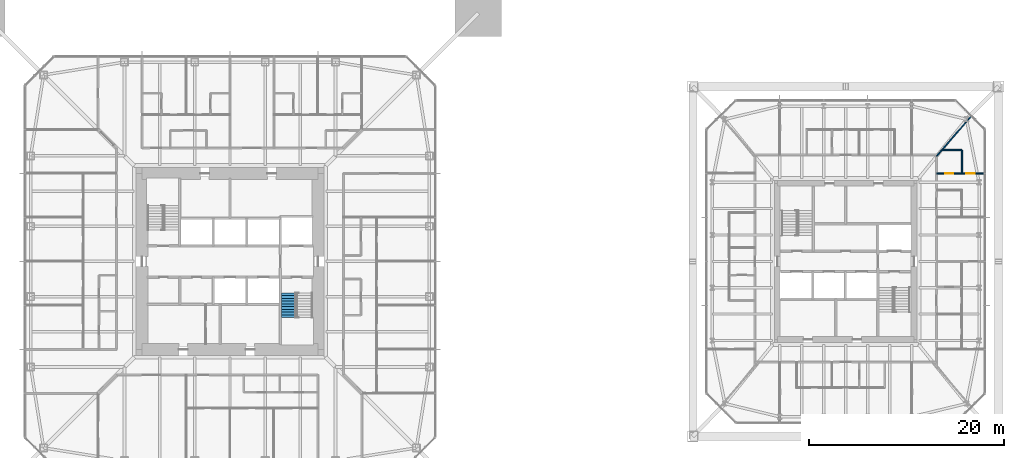
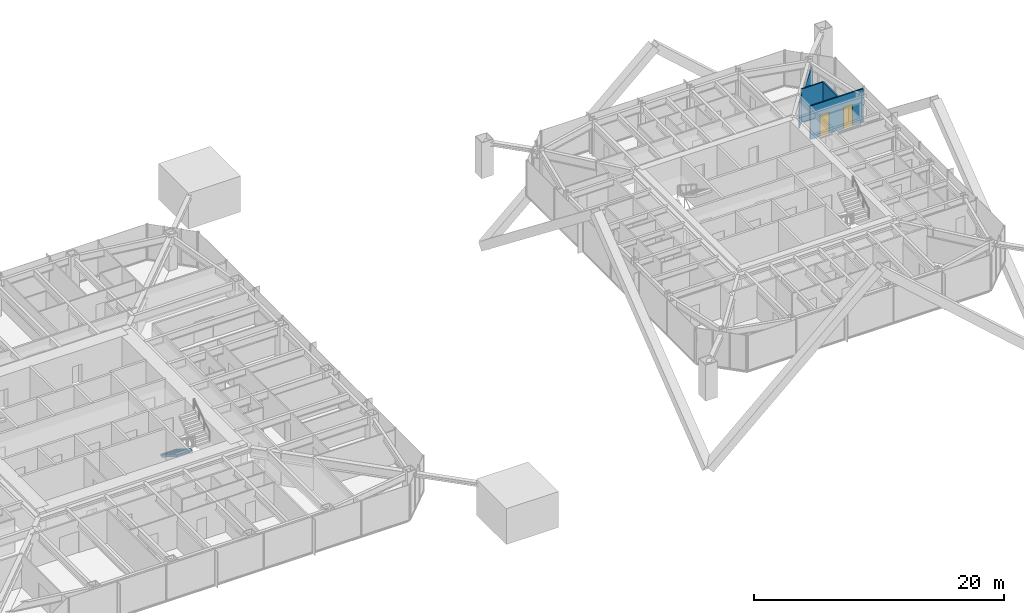
# One storey, part 19 of 25: 4 walls, 2 doors, 1 stair flight, 2 openings, 1 element without a shape of its own.
"""IFC4 building model written with IfcOpenShell, lengths in metres."""

from ifc_helpers import new_model, si_unit, direction, frame, frame_2d, origin, place, context, subcontext, project, spatial, polyline, rectangle, outline, extrude, material, layer, layer_set, constituent, constituent_set, type_object, element, fill, aggregate, save


model = new_model("IFC4")

# Units and contexts
model_context = context("Model", 3, precision=1e-05, world=origin(), true_north=direction((0.0, 1.0)))
body_context = subcontext(model_context, "Body", "Model", "MODEL_VIEW")
ifc_project = project(units=[si_unit("LENGTHUNIT", "METRE"), si_unit("AREAUNIT", "SQUARE_METRE"), si_unit("VOLUMEUNIT", "CUBIC_METRE"), si_unit("PLANEANGLEUNIT", "RADIAN"), si_unit("MASSUNIT", "GRAM", prefix="KILO")], contexts=[model_context])

# Site, building, storey
site_placement = place(None, origin())
site = spatial("IfcSite", under=ifc_project, at=site_placement, CompositionType="ELEMENT")
building_placement = place(site_placement, origin())
building = spatial("IfcBuilding", under=site, at=building_placement, Name="Iwan Alto Co-Living Towers", CompositionType="ELEMENT")
storey_placement = place(building_placement, frame((0.0, 0.0, 108.5)))
storey = spatial("IfcBuildingStorey", under=building, at=storey_placement, Name="L29", CompositionType="ELEMENT", Elevation=108.5)

# Wall
ifc_material_1 = material(Name="Gypsum board")
ifc_layer_1 = layer(ifc_material_1, 0.012451171875, Name="Board", Category="Finish")
ifc_material_2 = material(Name="Steel ASTM A1003 ST33H cold-formed studs", Category="steel")
ifc_layer_2 = layer(ifc_material_2, 0.074951171875, Name="Studs", Category="Framing")
ifc_layer_3 = layer(ifc_material_1, 0.012451171875, Name="Board", Category="Finish")
ifc_layer_set_1 = layer_set([ifc_layer_1, ifc_layer_2, ifc_layer_3], Name="PARTITION 100")
wall_type_1 = type_object("IfcWallType", Name="PARTITION 100", PredefinedType="PARTITIONING", material=ifc_layer_set_1)
wall_1_placement = place(storey_placement, frame((72.300048828125, 10.76806640625, 0.0), z_axis=(0.0, 0.0, 1.0), x_axis=(0.653709560919, 0.756745538449, 0.0)))
element("IfcWall", 1, at=wall_1_placement, inside=storey, type_object=wall_type_1, Name="Partition L29", PredefinedType="PARTITIONING", context=body_context, shape_type="SweptSolid", body=[
    extrude(rectangle(XDim=5.3857421875, YDim=0.10009765625, at=frame_2d((2.69287109375, 0.0))), origin(), (0.0, 0.0, 1.0), 2.42919921875),
])

# Wall, openings, doors
ifc_material_3 = material(Name="Cement board")
ifc_layer_4 = layer(ifc_material_3, 0.012451171875, Name="Board", Category="Finish")
ifc_layer_5 = layer(ifc_material_2, 0.094970703125, Name="Studs", Category="Framing")
ifc_layer_6 = layer(ifc_material_3, 0.012451171875, Name="Board", Category="Finish")
ifc_layer_set_2 = layer_set([ifc_layer_4, ifc_layer_5, ifc_layer_6], Name="WET AREA PARTITION 120")
wall_type_2 = type_object("IfcWallType", Name="WET AREA PARTITION 120", PredefinedType="PARTITIONING", material=ifc_layer_set_2)
wall_2_placement = place(storey_placement, frame((72.300048828125, 9.0, 0.0), z_axis=(0.0, 0.0, 1.0), x_axis=(1.0, 0.0, 0.0)))
wall_2 = element("IfcWall", 2, at=wall_2_placement, inside=storey, type_object=wall_type_2, Name="Partition L29", PredefinedType="PARTITIONING", context=body_context, shape_type="SweptSolid", body=[
    extrude(rectangle(XDim=4.889892578125, YDim=0.1201171875, at=frame_2d((2.44482421875, 0.0))), origin(), (0.0, 0.0, 1.0), 3.27001953125),
])
opening_1_placement = place(wall_2_placement, frame((0.875, 0.0, 0.0)))
opening_1 = element("IfcOpeningElement", 3, at=opening_1_placement, cuts=wall_2, Name="Opening D2", PredefinedType="OPENING", context=body_context, shape_type="SweptSolid", body=[
    extrude(rectangle(XDim=0.85009765625, YDim=2.10009765625, at=frame_2d((0.425048828125, 1.050048828125))), frame((0.0, 0.070068359375, 0.0), z_axis=(0.0, -1.0, 0.0), x_axis=(1.0, 0.0, 0.0)), (0.0, 0.0, 1.0), 0.14013671875),
])
opening_2_placement = place(wall_2_placement, frame((3.050048828125, 0.0, 0.0)))
opening_2 = element("IfcOpeningElement", 4, at=opening_2_placement, cuts=wall_2, Name="Opening D2", PredefinedType="OPENING", context=body_context, shape_type="SweptSolid", body=[
    extrude(rectangle(XDim=0.85009765625, YDim=2.10009765625, at=frame_2d((0.425048828125, 1.050048828125))), frame((0.0, 0.070068359375, 0.0), z_axis=(0.0, -1.0, 0.0), x_axis=(1.0, 0.0, 0.0)), (0.0, 0.0, 1.0), 0.14013671875),
])
ifc_material_4 = material(Name="Timber leaf in steel frame", Category="steel")
door_type = type_object("IfcDoorType", Name="ROOM DOOR 850X2100", OperationType="SINGLE_SWING_LEFT", PredefinedType="DOOR", material=ifc_material_4)
door_1_placement = place(opening_1_placement, frame((0.85009765625, 0.0, 0.0), z_axis=(0.0, 0.0, 1.0), x_axis=(-1.0, 0.0, 0.0)))
door_1 = element("IfcDoor", 5, at=door_1_placement, inside=storey, type_object=door_type, Name="Bathroom door L29", OperationType="SINGLE_SWING_RIGHT", OverallHeight=2.10009765625, OverallWidth=0.85009765625, PredefinedType="DOOR", context=body_context, shape_type="SweptSolid", body=[
    extrude(rectangle(XDim=0.85009765625, YDim=2.10009765625, at=frame_2d((0.425048828125, 1.050048828125))), frame((0.0, 0.02490234375, 0.0), z_axis=(0.0, -1.0, 0.0), x_axis=(1.0, 0.0, 0.0)), (0.0, 0.0, 1.0), 0.050048828125),
])
fill(opening_1, door_1)
door_2_placement = place(opening_2_placement, origin())
door_2 = element("IfcDoor", 6, at=door_2_placement, inside=storey, type_object=door_type, Name="Bedroom door L29", OperationType="SINGLE_SWING_LEFT", OverallHeight=2.10009765625, OverallWidth=0.85009765625, PredefinedType="DOOR", context=body_context, shape_type="SweptSolid", body=[
    extrude(rectangle(XDim=0.85009765625, YDim=2.10009765625, at=frame_2d((0.425048828125, 1.050048828125))), frame((0.0, 0.02490234375, 0.0), z_axis=(0.0, -1.0, 0.0), x_axis=(1.0, 0.0, 0.0)), (0.0, 0.0, 1.0), 0.050048828125),
])
fill(opening_2, door_2)

# Walls
wall_3_placement = place(storey_placement, frame((72.844970703125, 11.39990234375, 0.0), z_axis=(0.0, 0.0, 1.0), x_axis=(1.0, 0.0, 0.0)))
element("IfcWall", 7, at=wall_3_placement, inside=storey, type_object=wall_type_2, Name="Partition L29", PredefinedType="PARTITIONING", context=body_context, shape_type="SweptSolid", body=[
    extrude(rectangle(XDim=2.054931640625, YDim=0.1201171875, at=frame_2d((1.02734375, 0.0))), origin(), (0.0, 0.0, 1.0), 3.27001953125),
])
wall_4_placement = place(storey_placement, frame((74.89990234375, 9.0, 0.0), z_axis=(0.0, 0.0, 1.0), x_axis=(0.0, 1.0, 0.0)))
element("IfcWall", 8, at=wall_4_placement, inside=storey, type_object=wall_type_2, Name="Partition L29", PredefinedType="PARTITIONING", context=body_context, shape_type="SweptSolid", body=[
    extrude(rectangle(XDim=2.39990234375, YDim=0.1201171875, at=frame_2d((1.199951171875, 0.0))), origin(), (0.0, 0.0, 1.0), 3.27001953125),
])

# Stair, stair flight
ifc_material_5 = material(Name="Steel ASTM A36", Category="steel")
ifc_constituent_1 = constituent(ifc_material_5, Name="Stringers", Category="LoadBearing")
ifc_material_6 = material(Name="Concrete f'c 30 MPa", Category="concrete")
ifc_constituent_2 = constituent(ifc_material_6, Name="Tread fill", Category="Finish")
ifc_constituent_set_1 = constituent_set(constituents=[ifc_constituent_1, ifc_constituent_2], Name="STAIR 3500 TWO-FLIGHT T1 CORE")
stair_type = type_object("IfcStairType", Name="STAIR 3500 TWO-FLIGHT T1 CORE", PredefinedType="HALF_TURN_STAIR", material=ifc_constituent_set_1)
stair_placement = place(storey_placement, origin())
stair = element("IfcStair", 9, at=stair_placement, inside=storey, type_object=stair_type, Name="Stair T1-S2 L29 to L30", PredefinedType="HALF_TURN_STAIR")
ifc_constituent_3 = constituent(ifc_material_5, Name="Stringers", Category="LoadBearing")
ifc_constituent_4 = constituent(ifc_material_6, Name="Tread fill", Category="Finish")
ifc_constituent_set_2 = constituent_set(constituents=[ifc_constituent_3, ifc_constituent_4], Name="STAIR FLIGHT 10 RISERS 280 GOING")
stair_flight_type = type_object("IfcStairFlightType", Name="STAIR FLIGHT 10 RISERS 280 GOING", PredefinedType="STRAIGHT", material=ifc_constituent_set_2)
stair_flight_placement = place(storey_placement, frame((6.010009765625, -3.219970703125, 0.0), z_axis=(0.0, 0.0, 1.0), x_axis=(0.0, -1.0, 0.0)))
stair_flight = element("IfcStairFlight", 10, at=stair_flight_placement, type_object=stair_flight_type, Name="T1-S2 flight 1", NumberOfRisers=10, NumberOfTreads=9, PredefinedType="STRAIGHT", RiserHeight=0.175, TreadLength=0.28, context=body_context, shape_type="SweptSolid", body=[
    extrude(outline(polyline([(0.0, 0.0), (0.0, 0.175048828125), (0.280029296875, 0.175048828125), (0.280029296875, 0.35009765625), (0.56005859375, 0.35009765625), (0.56005859375, 0.52490234375), (0.840087890625, 0.52490234375), (0.840087890625, 0.699951171875), (1.1201171875, 0.699951171875), (1.1201171875, 0.875), (1.39990234375, 0.875), (1.39990234375, 1.050048828125), (1.679931640625, 1.050048828125), (1.679931640625, 1.22509765625), (1.9599609375, 1.22509765625), (1.9599609375, 1.39990234375), (2.239990234375, 1.39990234375), (2.239990234375, 1.574951171875), (2.52001953125, 1.574951171875), (2.52001953125, 1.75), (2.52001953125, 1.398193359375), (0.28271484375, 0.0), (0.0, 0.0)])), frame((0.0, 0.739990234375, 0.0), z_axis=(0.0, -1.0, 0.0), x_axis=(1.0, 0.0, 0.0)), (0.0, 0.0, 1.0), 1.47998046875),
])
aggregate(stair, [stair_flight])

save(model, "model.ifc")
